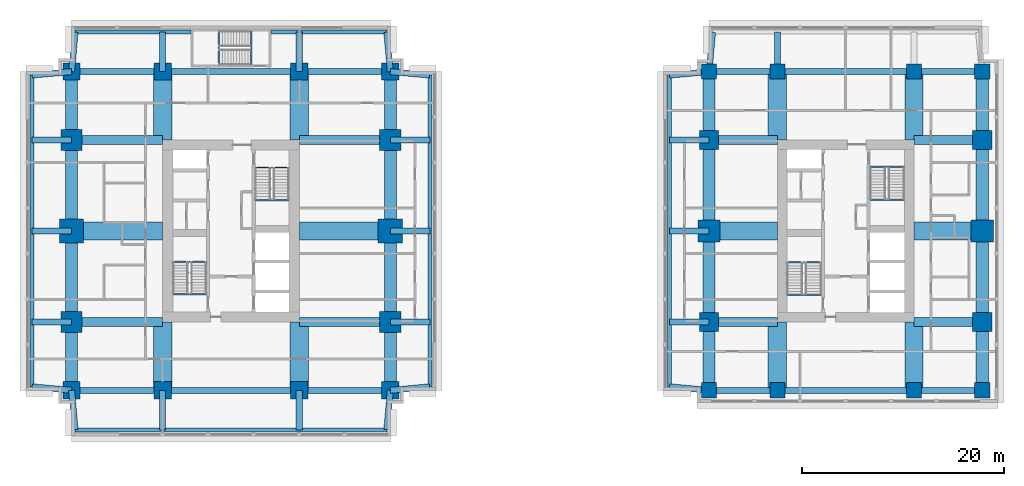
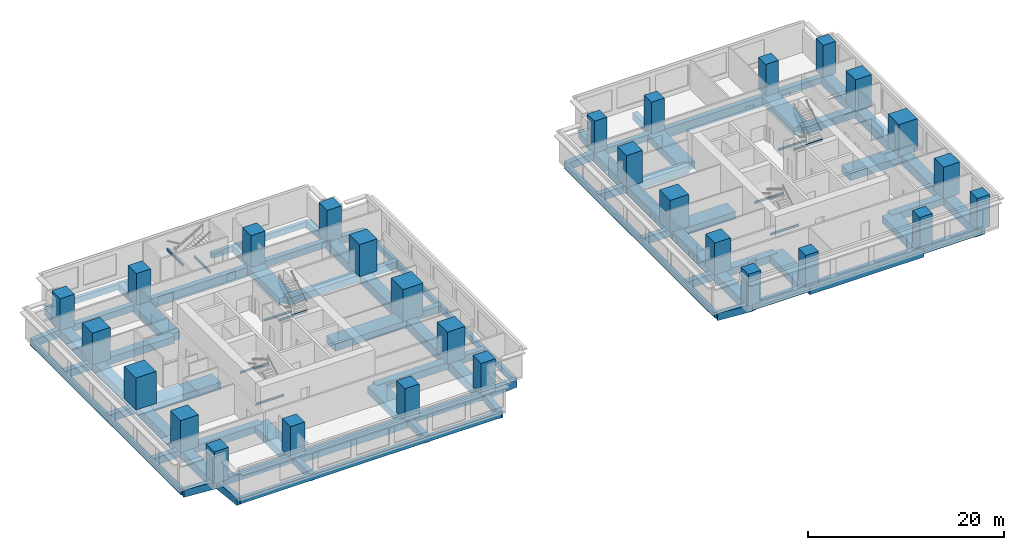
# One storey, part 1 of 10: 89 beams, 28 columns.
"""IFC4 building model written with IfcOpenShell, lengths in metres."""

from ifc_helpers import new_model, si_unit, direction, frame, origin, origin_2d, place, context, subcontext, project, spatial, rectangle, i_section, extrude, material, material_profile, profile_set, type_object, element, save


model = new_model("IFC4")

# Units and contexts
model_context = context("Model", 3, precision=1e-05, world=origin(), true_north=direction((0.0, 1.0)))
body_context = subcontext(model_context, "Body", "Model", "MODEL_VIEW")
ifc_project = project(units=[si_unit("LENGTHUNIT", "METRE"), si_unit("AREAUNIT", "SQUARE_METRE"), si_unit("VOLUMEUNIT", "CUBIC_METRE"), si_unit("PLANEANGLEUNIT", "RADIAN"), si_unit("MASSUNIT", "GRAM", prefix="KILO")], contexts=[model_context])

# Site, building, storey
site_placement = place(None, origin())
site = spatial("IfcSite", under=ifc_project, at=site_placement, CompositionType="ELEMENT")
building_placement = place(site_placement, origin())
building = spatial("IfcBuilding", under=site, at=building_placement, Name="Namib Vertical Campus", CompositionType="ELEMENT")
storey_placement = place(building_placement, frame((0.0, 0.0, 149.0)))
storey = spatial("IfcBuildingStorey", under=building, at=storey_placement, Name="L35", CompositionType="ELEMENT", Elevation=149.0)

# Columns
ifc_material_1 = material(Name="Concrete C60/75", Category="concrete")
ifc_material_profile_1 = material_profile(ifc_material_1, rectangle(XDim=1.5, YDim=1.5, at=origin_2d()))
ifc_profile_set_1 = profile_set([ifc_material_profile_1], Name="Concrete C60/75")
column_type_1 = type_object("IfcColumnType", Name="Column RC 1500x1500", PredefinedType="COLUMN", material=ifc_profile_set_1)
for number, where, z_axis, x_axis, name in (
    (1, (67.5, 4.5, 0.0), (0.0, 0.0, 1.0), (1.0, 0.0, 0.0), "Column C150 L35"),
    (2, (74.25, 4.5, 0.0), (0.0, 0.0, 1.0), (1.0, 0.0, 0.0), "Column C150 L35"),
    (3, (87.75, 4.5, 0.0), (0.0, 0.0, 1.0), (1.0, 0.0, 0.0), "Column C150 L35"),
    (4, (94.5, 4.5, 0.0), (0.0, 0.0, 1.0), (1.0, 0.0, 0.0), "Column C150 L35"),
    (5, (67.5, 36.0, 0.0), (0.0, 0.0, 1.0), (1.0, 0.0, 0.0), "Column C150 L35"),
    (6, (74.25, 36.0, 0.0), (0.0, 0.0, 1.0), (1.0, 0.0, 0.0), "Column C150 L35"),
    (7, (87.75, 36.0, 0.0), (0.0, 0.0, 1.0), (1.0, 0.0, 0.0), "Column C150 L35"),
    (8, (94.5, 36.0, 0.0), (0.0, 0.0, 1.0), (1.0, 0.0, 0.0), "Column C150 L35"),
):
    element("IfcColumn", number, at=place(storey_placement, frame(where, z_axis=z_axis, x_axis=x_axis)), inside=storey, type_object=column_type_1, Name=name, PredefinedType="COLUMN", context=body_context, shape_type="SweptSolid", body=[
        extrude(rectangle(XDim=1.5, YDim=1.5, at=origin_2d()), origin(), (0.0, 0.0, 1.0), 4.0),
    ])
ifc_material_2 = material(Name="Concrete C60/75", Category="concrete")
ifc_material_profile_2 = material_profile(ifc_material_2, rectangle(XDim=1.699951171875, YDim=1.699951171875, at=origin_2d()))
ifc_profile_set_2 = profile_set([ifc_material_profile_2], Name="Concrete C60/75")
column_type_2 = type_object("IfcColumnType", Name="Column RC 1700x1700", PredefinedType="COLUMN", material=ifc_profile_set_2)
for number, where, z_axis, x_axis, name in (
    (9, (4.5, 4.5, 0.0), (0.0, 0.0, 1.0), (1.0, 0.0, 0.0), "Column C170 L35"),
    (10, (13.5, 4.5, 0.0), (0.0, 0.0, 1.0), (1.0, 0.0, 0.0), "Column C170 L35"),
    (11, (27.0, 4.5, 0.0), (0.0, 0.0, 1.0), (1.0, 0.0, 0.0), "Column C170 L35"),
    (12, (36.0, 4.5, 0.0), (0.0, 0.0, 1.0), (1.0, 0.0, 0.0), "Column C170 L35"),
    (13, (4.5, 36.0, 0.0), (0.0, 0.0, 1.0), (1.0, 0.0, 0.0), "Column C170 L35"),
    (14, (13.5, 36.0, 0.0), (0.0, 0.0, 1.0), (1.0, 0.0, 0.0), "Column C170 L35"),
    (15, (27.0, 36.0, 0.0), (0.0, 0.0, 1.0), (1.0, 0.0, 0.0), "Column C170 L35"),
    (16, (36.0, 36.0, 0.0), (0.0, 0.0, 1.0), (1.0, 0.0, 0.0), "Column C170 L35"),
):
    element("IfcColumn", number, at=place(storey_placement, frame(where, z_axis=z_axis, x_axis=x_axis)), inside=storey, type_object=column_type_2, Name=name, PredefinedType="COLUMN", context=body_context, shape_type="SweptSolid", body=[
        extrude(rectangle(XDim=1.699951171875, YDim=1.699951171875, at=origin_2d()), origin(), (0.0, 0.0, 1.0), 4.0),
    ])
ifc_material_3 = material(Name="Concrete C60/75", Category="concrete")
ifc_material_profile_3 = material_profile(ifc_material_3, rectangle(XDim=1.89990234375, YDim=1.89990234375, at=origin_2d()))
ifc_profile_set_3 = profile_set([ifc_material_profile_3], Name="Concrete C60/75")
column_type_3 = type_object("IfcColumnType", Name="Column RC 1900x1900", PredefinedType="COLUMN", material=ifc_profile_set_3)
for number, where, z_axis, x_axis, name in (
    (17, (67.5, 11.25, 0.0), (0.0, 0.0, 1.0), (1.0, 0.0, 0.0), "Column C190 L35"),
    (18, (94.5, 11.25, 0.0), (0.0, 0.0, 1.0), (1.0, 0.0, 0.0), "Column C190 L35"),
    (19, (67.5, 29.25, 0.0), (0.0, 0.0, 1.0), (1.0, 0.0, 0.0), "Column C190 L35"),
    (20, (94.5, 29.25, 0.0), (0.0, 0.0, 1.0), (1.0, 0.0, 0.0), "Column C190 L35"),
):
    element("IfcColumn", number, at=place(storey_placement, frame(where, z_axis=z_axis, x_axis=x_axis)), inside=storey, type_object=column_type_3, Name=name, PredefinedType="COLUMN", context=body_context, shape_type="SweptSolid", body=[
        extrude(rectangle(XDim=1.89990234375, YDim=1.89990234375, at=origin_2d()), origin(), (0.0, 0.0, 1.0), 4.0),
    ])
ifc_material_4 = material(Name="Concrete C60/75", Category="concrete")
ifc_material_profile_4 = material_profile(ifc_material_4, rectangle(XDim=2.10009765625, YDim=2.10009765625, at=origin_2d()))
ifc_profile_set_4 = profile_set([ifc_material_profile_4], Name="Concrete C60/75")
column_type_4 = type_object("IfcColumnType", Name="Column RC 2100x2100", PredefinedType="COLUMN", material=ifc_profile_set_4)
for number, where, z_axis, x_axis, name in (
    (21, (4.5, 11.25, 0.0), (0.0, 0.0, 1.0), (1.0, 0.0, 0.0), "Column C210 L35"),
    (22, (36.0, 11.25, 0.0), (0.0, 0.0, 1.0), (1.0, 0.0, 0.0), "Column C210 L35"),
    (23, (4.5, 29.25, 0.0), (0.0, 0.0, 1.0), (1.0, 0.0, 0.0), "Column C210 L35"),
    (24, (36.0, 29.25, 0.0), (0.0, 0.0, 1.0), (1.0, 0.0, 0.0), "Column C210 L35"),
):
    element("IfcColumn", number, at=place(storey_placement, frame(where, z_axis=z_axis, x_axis=x_axis)), inside=storey, type_object=column_type_4, Name=name, PredefinedType="COLUMN", context=body_context, shape_type="SweptSolid", body=[
        extrude(rectangle(XDim=2.10009765625, YDim=2.10009765625, at=origin_2d()), origin(), (0.0, 0.0, 1.0), 4.0),
    ])
ifc_material_5 = material(Name="Concrete C60/75", Category="concrete")
ifc_material_profile_5 = material_profile(ifc_material_5, rectangle(XDim=2.199951171875, YDim=2.199951171875, at=origin_2d()))
ifc_profile_set_5 = profile_set([ifc_material_profile_5], Name="Concrete C60/75")
column_type_5 = type_object("IfcColumnType", Name="Column RC 2200x2200", PredefinedType="COLUMN", material=ifc_profile_set_5)
for number, where, z_axis, x_axis, name in (
    (25, (67.5, 20.25, 0.0), (0.0, 0.0, 1.0), (1.0, 0.0, 0.0), "Column C220 L35"),
    (26, (94.5, 20.25, 0.0), (0.0, 0.0, 1.0), (1.0, 0.0, 0.0), "Column C220 L35"),
):
    element("IfcColumn", number, at=place(storey_placement, frame(where, z_axis=z_axis, x_axis=x_axis)), inside=storey, type_object=column_type_5, Name=name, PredefinedType="COLUMN", context=body_context, shape_type="SweptSolid", body=[
        extrude(rectangle(XDim=2.199951171875, YDim=2.199951171875, at=origin_2d()), origin(), (0.0, 0.0, 1.0), 4.0),
    ])
ifc_material_6 = material(Name="Concrete C60/75", Category="concrete")
ifc_material_profile_6 = material_profile(ifc_material_6, rectangle(XDim=2.39990234375, YDim=2.39990234375, at=origin_2d()))
ifc_profile_set_6 = profile_set([ifc_material_profile_6], Name="Concrete C60/75")
column_type_6 = type_object("IfcColumnType", Name="Column RC 2400x2400", PredefinedType="COLUMN", material=ifc_profile_set_6)
for number, where, z_axis, x_axis, name in (
    (27, (4.5, 20.25, 0.0), (0.0, 0.0, 1.0), (1.0, 0.0, 0.0), "Column C240 L35"),
    (28, (36.0, 20.25, 0.0), (0.0, 0.0, 1.0), (1.0, 0.0, 0.0), "Column C240 L35"),
):
    element("IfcColumn", number, at=place(storey_placement, frame(where, z_axis=z_axis, x_axis=x_axis)), inside=storey, type_object=column_type_6, Name=name, PredefinedType="COLUMN", context=body_context, shape_type="SweptSolid", body=[
        extrude(rectangle(XDim=2.39990234375, YDim=2.39990234375, at=origin_2d()), origin(), (0.0, 0.0, 1.0), 4.0),
    ])

# Beams
ifc_material_7 = material(Name="Concrete C40/50", Category="concrete")
ifc_material_profile_7 = material_profile(ifc_material_7, rectangle(XDim=0.60009765625, YDim=0.89990234375, at=origin_2d()))
ifc_profile_set_7 = profile_set([ifc_material_profile_7], Name="Concrete C40/50")
beam_type_1 = type_object("IfcBeamType", Name="Cantilever girder RC 600x900", PredefinedType="BEAM", material=ifc_profile_set_7)
beam_1_placement = place(storey_placement, frame((4.5, 4.5, -0.699951171875), z_axis=(0.089411326146, -0.995994786511, 0.0), x_axis=(0.995994786511, 0.089411326146, 0.0)))
element("IfcBeam", 29, at=beam_1_placement, inside=storey, type_object=beam_type_1, Name="Beam B3 L35", PredefinedType="BEAM", context=body_context, shape_type="SweptSolid", body=[
    extrude(rectangle(XDim=0.60009765625, YDim=0.89990234375, at=origin_2d()), origin(), (0.0, 0.0, 1.0), 3.91552734375),
])
for number, where, z_axis, x_axis, name in (
    (30, (13.5, 4.5, -0.699951171875), (0.0, -1.0, 0.0), (1.0, 0.0, 0.0), "Beam B3 L35"),
    (31, (27.0, 4.5, -0.699951171875), (0.0, -1.0, 0.0), (1.0, 0.0, 0.0), "Beam B3 L35"),
):
    element("IfcBeam", number, at=place(storey_placement, frame(where, z_axis=z_axis, x_axis=x_axis)), inside=storey, type_object=beam_type_1, Name=name, PredefinedType="BEAM", context=body_context, shape_type="SweptSolid", body=[
        extrude(rectangle(XDim=0.60009765625, YDim=0.89990234375, at=origin_2d()), origin(), (0.0, 0.0, 1.0), 3.89990234375),
    ])
for number, where, z_axis, x_axis, name in (
    (32, (36.0, 4.5, -0.699951171875), (-0.089411326146, -0.995994786511, 0.0), (0.995994786511, -0.089411326146, 0.0), "Beam B3 L35"),
    (33, (4.5, 36.0, -0.699951171875), (0.089411326146, 0.995994786511, 0.0), (-0.995994786511, 0.089411326146, 0.0), "Beam B3 L35"),
):
    element("IfcBeam", number, at=place(storey_placement, frame(where, z_axis=z_axis, x_axis=x_axis)), inside=storey, type_object=beam_type_1, Name=name, PredefinedType="BEAM", context=body_context, shape_type="SweptSolid", body=[
        extrude(rectangle(XDim=0.60009765625, YDim=0.89990234375, at=origin_2d()), origin(), (0.0, 0.0, 1.0), 3.91552734375),
    ])
for number, where, z_axis, x_axis, name in (
    (34, (13.5, 36.0, -0.699951171875), (0.0, 1.0, 0.0), (-1.0, 0.0, 0.0), "Beam B3 L35"),
    (35, (27.0, 36.0, -0.699951171875), (0.0, 1.0, 0.0), (-1.0, 0.0, 0.0), "Beam B3 L35"),
):
    element("IfcBeam", number, at=place(storey_placement, frame(where, z_axis=z_axis, x_axis=x_axis)), inside=storey, type_object=beam_type_1, Name=name, PredefinedType="BEAM", context=body_context, shape_type="SweptSolid", body=[
        extrude(rectangle(XDim=0.60009765625, YDim=0.89990234375, at=origin_2d()), origin(), (0.0, 0.0, 1.0), 3.89990234375),
    ])
for number, where, z_axis, x_axis, name in (
    (36, (36.0, 36.0, -0.699951171875), (-0.089411326146, 0.995994786511, 0.0), (-0.995994786511, -0.089411326146, 0.0), "Beam B3 L35"),
    (37, (4.5, 4.5, -0.699951171875), (-0.995994786511, 0.089411326146, 0.0), (-0.089411326146, -0.995994786511, 0.0), "Beam B3 L35"),
):
    element("IfcBeam", number, at=place(storey_placement, frame(where, z_axis=z_axis, x_axis=x_axis)), inside=storey, type_object=beam_type_1, Name=name, PredefinedType="BEAM", context=body_context, shape_type="SweptSolid", body=[
        extrude(rectangle(XDim=0.60009765625, YDim=0.89990234375, at=origin_2d()), origin(), (0.0, 0.0, 1.0), 3.91552734375),
    ])
for number, where, z_axis, x_axis, name in (
    (38, (4.5, 11.25, -0.699951171875), (-1.0, 0.0, 0.0), (0.0, -1.0, 0.0), "Beam B3 L35"),
    (39, (4.5, 20.25, -0.699951171875), (-1.0, 0.0, 0.0), (0.0, -1.0, 0.0), "Beam B3 L35"),
    (40, (4.5, 29.25, -0.699951171875), (-1.0, 0.0, 0.0), (0.0, -1.0, 0.0), "Beam B3 L35"),
):
    element("IfcBeam", number, at=place(storey_placement, frame(where, z_axis=z_axis, x_axis=x_axis)), inside=storey, type_object=beam_type_1, Name=name, PredefinedType="BEAM", context=body_context, shape_type="SweptSolid", body=[
        extrude(rectangle(XDim=0.60009765625, YDim=0.89990234375, at=origin_2d()), origin(), (0.0, 0.0, 1.0), 3.89990234375),
    ])
for number, where, z_axis, x_axis, name in (
    (41, (4.5, 36.0, -0.699951171875), (-0.995994786511, -0.089411326146, 0.0), (0.089411326146, -0.995994786511, 0.0), "Beam B3 L35"),
    (42, (36.0, 4.5, -0.699951171875), (0.995994786511, 0.089411326146, 0.0), (-0.089411326146, 0.995994786511, 0.0), "Beam B3 L35"),
):
    element("IfcBeam", number, at=place(storey_placement, frame(where, z_axis=z_axis, x_axis=x_axis)), inside=storey, type_object=beam_type_1, Name=name, PredefinedType="BEAM", context=body_context, shape_type="SweptSolid", body=[
        extrude(rectangle(XDim=0.60009765625, YDim=0.89990234375, at=origin_2d()), origin(), (0.0, 0.0, 1.0), 3.91552734375),
    ])
for number, where, z_axis, x_axis, name in (
    (43, (36.0, 11.25, -0.699951171875), (1.0, 0.0, 0.0), (0.0, 1.0, 0.0), "Beam B3 L35"),
    (44, (36.0, 20.25, -0.699951171875), (1.0, 0.0, 0.0), (0.0, 1.0, 0.0), "Beam B3 L35"),
    (45, (36.0, 29.25, -0.699951171875), (1.0, 0.0, 0.0), (0.0, 1.0, 0.0), "Beam B3 L35"),
):
    element("IfcBeam", number, at=place(storey_placement, frame(where, z_axis=z_axis, x_axis=x_axis)), inside=storey, type_object=beam_type_1, Name=name, PredefinedType="BEAM", context=body_context, shape_type="SweptSolid", body=[
        extrude(rectangle(XDim=0.60009765625, YDim=0.89990234375, at=origin_2d()), origin(), (0.0, 0.0, 1.0), 3.89990234375),
    ])
for number, where, z_axis, x_axis, name in (
    (46, (36.0, 36.0, -0.699951171875), (0.995994786511, -0.089411326146, 0.0), (0.089411326146, 0.995994786511, 0.0), "Beam B3 L35"),
    (47, (67.5, 36.0, -0.699951171875), (0.089411326146, 0.995994786511, 0.0), (-0.995994786511, 0.089411326146, 0.0), "Beam B3 L35"),
):
    element("IfcBeam", number, at=place(storey_placement, frame(where, z_axis=z_axis, x_axis=x_axis)), inside=storey, type_object=beam_type_1, Name=name, PredefinedType="BEAM", context=body_context, shape_type="SweptSolid", body=[
        extrude(rectangle(XDim=0.60009765625, YDim=0.89990234375, at=origin_2d()), origin(), (0.0, 0.0, 1.0), 3.91552734375),
    ])
beam_2_placement = place(storey_placement, frame((74.25, 36.0, -0.699951171875), z_axis=(0.0, 1.0, 0.0), x_axis=(-1.0, 0.0, 0.0)))
element("IfcBeam", 48, at=beam_2_placement, inside=storey, type_object=beam_type_1, Name="Beam B3 L35", PredefinedType="BEAM", context=body_context, shape_type="SweptSolid", body=[
    extrude(rectangle(XDim=0.60009765625, YDim=0.89990234375, at=origin_2d()), origin(), (0.0, 0.0, 1.0), 3.89990234375),
])
beam_3_placement = place(storey_placement, frame((67.5, 4.5, -0.699951171875), z_axis=(-0.995994786511, 0.089411326146, 0.0), x_axis=(-0.089411326146, -0.995994786511, 0.0)))
element("IfcBeam", 49, at=beam_3_placement, inside=storey, type_object=beam_type_1, Name="Beam B3 L35", PredefinedType="BEAM", context=body_context, shape_type="SweptSolid", body=[
    extrude(rectangle(XDim=0.60009765625, YDim=0.89990234375, at=origin_2d()), origin(), (0.0, 0.0, 1.0), 3.91552734375),
])
for number, where, z_axis, x_axis, name in (
    (50, (67.5, 11.25, -0.699951171875), (-1.0, 0.0, 0.0), (0.0, -1.0, 0.0), "Beam B3 L35"),
    (51, (67.5, 20.25, -0.699951171875), (-1.0, 0.0, 0.0), (0.0, -1.0, 0.0), "Beam B3 L35"),
    (52, (67.5, 29.25, -0.699951171875), (-1.0, 0.0, 0.0), (0.0, -1.0, 0.0), "Beam B3 L35"),
):
    element("IfcBeam", number, at=place(storey_placement, frame(where, z_axis=z_axis, x_axis=x_axis)), inside=storey, type_object=beam_type_1, Name=name, PredefinedType="BEAM", context=body_context, shape_type="SweptSolid", body=[
        extrude(rectangle(XDim=0.60009765625, YDim=0.89990234375, at=origin_2d()), origin(), (0.0, 0.0, 1.0), 3.89990234375),
    ])
beam_4_placement = place(storey_placement, frame((67.5, 36.0, -0.699951171875), z_axis=(-0.995994786511, -0.089411326146, 0.0), x_axis=(0.089411326146, -0.995994786511, 0.0)))
element("IfcBeam", 53, at=beam_4_placement, inside=storey, type_object=beam_type_1, Name="Beam B3 L35", PredefinedType="BEAM", context=body_context, shape_type="SweptSolid", body=[
    extrude(rectangle(XDim=0.60009765625, YDim=0.89990234375, at=origin_2d()), origin(), (0.0, 0.0, 1.0), 3.91552734375),
])
ifc_material_8 = material(Name="Concrete C40/50", Category="concrete")
ifc_material_profile_8 = material_profile(ifc_material_8, rectangle(XDim=0.39990234375, YDim=0.699951171875, at=origin_2d()))
ifc_profile_set_8 = profile_set([ifc_material_profile_8], Name="Concrete C40/50")
beam_type_2 = type_object("IfcBeamType", Name="Edge beam RC 400x700", PredefinedType="SPANDREL", material=ifc_profile_set_8)
beam_5_placement = place(storey_placement, frame((4.85009765625, 0.60009765625, -0.60009765625), z_axis=(1.0, 0.0, 0.0), x_axis=(0.0, 1.0, 0.0)))
element("IfcBeam", 54, at=beam_5_placement, inside=storey, type_object=beam_type_2, Name="Beam B4 L35", PredefinedType="SPANDREL", context=body_context, shape_type="SweptSolid", body=[
    extrude(rectangle(XDim=0.39990234375, YDim=0.699951171875, at=origin_2d()), origin(), (0.0, 0.0, 1.0), 30.7998046875),
])
for number, where, z_axis, x_axis, name in (
    (55, (4.85009765625, 39.89990234375, -0.60009765625), (1.0, 0.0, 0.0), (0.0, 1.0, 0.0), "Beam B4 L35"),
    (56, (24.199951171875, 39.89990234375, -0.60009765625), (1.0, 0.0, 0.0), (0.0, 1.0, 0.0), "Beam B4 L35"),
):
    element("IfcBeam", number, at=place(storey_placement, frame(where, z_axis=z_axis, x_axis=x_axis)), inside=storey, type_object=beam_type_2, Name=name, PredefinedType="SPANDREL", context=body_context, shape_type="SweptSolid", body=[
        extrude(rectangle(XDim=0.39990234375, YDim=0.699951171875, at=origin_2d()), origin(), (0.0, 0.0, 1.0), 11.449951171875),
    ])
for number, where, z_axis, x_axis, name in (
    (57, (0.60009765625, 4.85009765625, -0.60009765625), (0.0, 1.0, 0.0), (-1.0, 0.0, 0.0), "Beam B4 L35"),
    (58, (39.89990234375, 4.85009765625, -0.60009765625), (0.0, 1.0, 0.0), (-1.0, 0.0, 0.0), "Beam B4 L35"),
    (59, (63.60009765625, 4.85009765625, -0.60009765625), (0.0, 1.0, 0.0), (-1.0, 0.0, 0.0), "Beam B4 L35"),
):
    element("IfcBeam", number, at=place(storey_placement, frame(where, z_axis=z_axis, x_axis=x_axis)), inside=storey, type_object=beam_type_2, Name=name, PredefinedType="SPANDREL", context=body_context, shape_type="SweptSolid", body=[
        extrude(rectangle(XDim=0.39990234375, YDim=0.699951171875, at=origin_2d()), origin(), (0.0, 0.0, 1.0), 30.7998046875),
    ])
ifc_material_9 = material(Name="Concrete C40/50", Category="concrete")
ifc_material_profile_9 = material_profile(ifc_material_9, rectangle(XDim=0.89990234375, YDim=0.89990234375, at=origin_2d()))
ifc_profile_set_9 = profile_set([ifc_material_profile_9], Name="Concrete C40/50")
beam_type_3 = type_object("IfcBeamType", Name="Face girder RC 900x900", PredefinedType="BEAM", material=ifc_profile_set_9)
for number, where, z_axis, x_axis, name in (
    (60, (4.5, 11.25, -0.699951171875), (1.0, 0.0, 0.0), (0.0, 1.0, 0.0), "Beam B10 L35"),
    (61, (36.0, 11.25, -0.699951171875), (-1.0, 0.0, 0.0), (0.0, -1.0, 0.0), "Beam B10 L35"),
    (62, (4.5, 29.25, -0.699951171875), (1.0, 0.0, 0.0), (0.0, 1.0, 0.0), "Beam B10 L35"),
    (63, (36.0, 29.25, -0.699951171875), (-1.0, 0.0, 0.0), (0.0, -1.0, 0.0), "Beam B10 L35"),
):
    element("IfcBeam", number, at=place(storey_placement, frame(where, z_axis=z_axis, x_axis=x_axis)), inside=storey, type_object=beam_type_3, Name=name, PredefinedType="BEAM", context=body_context, shape_type="SweptSolid", body=[
        extrude(rectangle(XDim=0.89990234375, YDim=0.89990234375, at=origin_2d()), origin(), (0.0, 0.0, 1.0), 9.0),
    ])
for number, where, z_axis, x_axis, name in (
    (64, (67.5, 11.25, -0.699951171875), (1.0, 0.0, 0.0), (0.0, 1.0, 0.0), "Beam B10 L35"),
    (65, (94.5, 11.25, -0.699951171875), (-1.0, 0.0, 0.0), (0.0, -1.0, 0.0), "Beam B10 L35"),
    (66, (67.5, 29.25, -0.699951171875), (1.0, 0.0, 0.0), (0.0, 1.0, 0.0), "Beam B10 L35"),
    (67, (94.5, 29.25, -0.699951171875), (-1.0, 0.0, 0.0), (0.0, -1.0, 0.0), "Beam B10 L35"),
):
    element("IfcBeam", number, at=place(storey_placement, frame(where, z_axis=z_axis, x_axis=x_axis)), inside=storey, type_object=beam_type_3, Name=name, PredefinedType="BEAM", context=body_context, shape_type="SweptSolid", body=[
        extrude(rectangle(XDim=0.89990234375, YDim=0.89990234375, at=origin_2d()), origin(), (0.0, 0.0, 1.0), 6.75),
    ])
ifc_material_10 = material(Name="Concrete C40/50", Category="concrete")
ifc_material_profile_10 = material_profile(ifc_material_10, rectangle(XDim=1.199951171875, YDim=1.10009765625, at=origin_2d()))
ifc_profile_set_10 = profile_set([ifc_material_profile_10], Name="Concrete C40/50")
beam_type_4 = type_object("IfcBeamType", Name="Face ring beam RC 1200x1100", PredefinedType="BEAM", material=ifc_profile_set_10)
beam_6_placement = place(storey_placement, frame((4.5, 4.5, -0.800048828125), z_axis=(0.0, 1.0, 0.0), x_axis=(-1.0, 0.0, 0.0)))
element("IfcBeam", 68, at=beam_6_placement, inside=storey, type_object=beam_type_4, Name="Beam B11 L35", PredefinedType="BEAM", context=body_context, shape_type="SweptSolid", body=[
    extrude(rectangle(XDim=1.199951171875, YDim=1.10009765625, at=origin_2d()), origin(), (0.0, 0.0, 1.0), 6.75),
])
for number, where, z_axis, x_axis, name in (
    (69, (4.5, 11.25, -0.800048828125), (0.0, 1.0, 0.0), (-1.0, 0.0, 0.0), "Beam B11 L35"),
    (70, (4.5, 20.25, -0.800048828125), (0.0, 1.0, 0.0), (-1.0, 0.0, 0.0), "Beam B11 L35"),
):
    element("IfcBeam", number, at=place(storey_placement, frame(where, z_axis=z_axis, x_axis=x_axis)), inside=storey, type_object=beam_type_4, Name=name, PredefinedType="BEAM", context=body_context, shape_type="SweptSolid", body=[
        extrude(rectangle(XDim=1.199951171875, YDim=1.10009765625, at=origin_2d()), origin(), (0.0, 0.0, 1.0), 9.0),
    ])
for number, where, z_axis, x_axis, name in (
    (71, (4.5, 29.25, -0.800048828125), (0.0, 1.0, 0.0), (-1.0, 0.0, 0.0), "Beam B11 L35"),
    (72, (36.0, 4.5, -0.800048828125), (0.0, 1.0, 0.0), (-1.0, 0.0, 0.0), "Beam B11 L35"),
):
    element("IfcBeam", number, at=place(storey_placement, frame(where, z_axis=z_axis, x_axis=x_axis)), inside=storey, type_object=beam_type_4, Name=name, PredefinedType="BEAM", context=body_context, shape_type="SweptSolid", body=[
        extrude(rectangle(XDim=1.199951171875, YDim=1.10009765625, at=origin_2d()), origin(), (0.0, 0.0, 1.0), 6.75),
    ])
for number, where, z_axis, x_axis, name in (
    (73, (36.0, 11.25, -0.800048828125), (0.0, 1.0, 0.0), (-1.0, 0.0, 0.0), "Beam B11 L35"),
    (74, (36.0, 20.25, -0.800048828125), (0.0, 1.0, 0.0), (-1.0, 0.0, 0.0), "Beam B11 L35"),
):
    element("IfcBeam", number, at=place(storey_placement, frame(where, z_axis=z_axis, x_axis=x_axis)), inside=storey, type_object=beam_type_4, Name=name, PredefinedType="BEAM", context=body_context, shape_type="SweptSolid", body=[
        extrude(rectangle(XDim=1.199951171875, YDim=1.10009765625, at=origin_2d()), origin(), (0.0, 0.0, 1.0), 9.0),
    ])
for number, where, z_axis, x_axis, name in (
    (75, (36.0, 29.25, -0.800048828125), (0.0, 1.0, 0.0), (-1.0, 0.0, 0.0), "Beam B11 L35"),
    (76, (67.5, 4.5, -0.800048828125), (0.0, 1.0, 0.0), (-1.0, 0.0, 0.0), "Beam B11 L35"),
):
    element("IfcBeam", number, at=place(storey_placement, frame(where, z_axis=z_axis, x_axis=x_axis)), inside=storey, type_object=beam_type_4, Name=name, PredefinedType="BEAM", context=body_context, shape_type="SweptSolid", body=[
        extrude(rectangle(XDim=1.199951171875, YDim=1.10009765625, at=origin_2d()), origin(), (0.0, 0.0, 1.0), 6.75),
    ])
for number, where, z_axis, x_axis, name in (
    (77, (67.5, 11.25, -0.800048828125), (0.0, 1.0, 0.0), (-1.0, 0.0, 0.0), "Beam B11 L35"),
    (78, (67.5, 20.25, -0.800048828125), (0.0, 1.0, 0.0), (-1.0, 0.0, 0.0), "Beam B11 L35"),
):
    element("IfcBeam", number, at=place(storey_placement, frame(where, z_axis=z_axis, x_axis=x_axis)), inside=storey, type_object=beam_type_4, Name=name, PredefinedType="BEAM", context=body_context, shape_type="SweptSolid", body=[
        extrude(rectangle(XDim=1.199951171875, YDim=1.10009765625, at=origin_2d()), origin(), (0.0, 0.0, 1.0), 9.0),
    ])
for number, where, z_axis, x_axis, name in (
    (79, (67.5, 29.25, -0.800048828125), (0.0, 1.0, 0.0), (-1.0, 0.0, 0.0), "Beam B11 L35"),
    (80, (94.5, 4.5, -0.800048828125), (0.0, 1.0, 0.0), (-1.0, 0.0, 0.0), "Beam B11 L35"),
):
    element("IfcBeam", number, at=place(storey_placement, frame(where, z_axis=z_axis, x_axis=x_axis)), inside=storey, type_object=beam_type_4, Name=name, PredefinedType="BEAM", context=body_context, shape_type="SweptSolid", body=[
        extrude(rectangle(XDim=1.199951171875, YDim=1.10009765625, at=origin_2d()), origin(), (0.0, 0.0, 1.0), 6.75),
    ])
for number, where, z_axis, x_axis, name in (
    (81, (94.5, 11.25, -0.800048828125), (0.0, 1.0, 0.0), (-1.0, 0.0, 0.0), "Beam B11 L35"),
    (82, (94.5, 20.25, -0.800048828125), (0.0, 1.0, 0.0), (-1.0, 0.0, 0.0), "Beam B11 L35"),
):
    element("IfcBeam", number, at=place(storey_placement, frame(where, z_axis=z_axis, x_axis=x_axis)), inside=storey, type_object=beam_type_4, Name=name, PredefinedType="BEAM", context=body_context, shape_type="SweptSolid", body=[
        extrude(rectangle(XDim=1.199951171875, YDim=1.10009765625, at=origin_2d()), origin(), (0.0, 0.0, 1.0), 9.0),
    ])
beam_7_placement = place(storey_placement, frame((94.5, 29.25, -0.800048828125), z_axis=(0.0, 1.0, 0.0), x_axis=(-1.0, 0.0, 0.0)))
element("IfcBeam", 83, at=beam_7_placement, inside=storey, type_object=beam_type_4, Name="Beam B11 L35", PredefinedType="BEAM", context=body_context, shape_type="SweptSolid", body=[
    extrude(rectangle(XDim=1.199951171875, YDim=1.10009765625, at=origin_2d()), origin(), (0.0, 0.0, 1.0), 6.75),
])
ifc_material_11 = material(Name="Steel S355JR", Category="steel")
ifc_material_profile_11 = material_profile(ifc_material_11, i_section(OverallWidth=0.14599609375, OverallDepth=0.25146484375, WebThickness=0.006103515625, FlangeThickness=0.008544921875, FilletRadius=0.007568359375, at=origin_2d()))
ifc_profile_set_11 = profile_set([ifc_material_profile_11], Name="Steel S355JR")
beam_type_5 = type_object("IfcBeamType", Name="Landing trimmer UB 254x146x31", PredefinedType="BEAM", material=ifc_profile_set_11)
for number, where, z_axis, x_axis, name in (
    (84, (14.5, 13.97705078125, -0.125732421875), (1.0, 0.0, 0.0), (0.0, 1.0, 0.0), "Landing trimmer LT1 A-S1 L35 1"),
    (85, (14.5, 17.203125, 1.874267578125), (1.0, 0.0, 0.0), (0.0, 1.0, 0.0), "Landing trimmer LT1 A-S1 L35 2"),
    (86, (22.64990234375, 26.52294921875, -0.125732421875), (1.0, 0.0, 0.0), (0.0, 1.0, 0.0), "Landing trimmer LT1 A-S2 L35 1"),
    (87, (22.64990234375, 23.296875, 1.874267578125), (1.0, 0.0, 0.0), (0.0, 1.0, 0.0), "Landing trimmer LT1 A-S2 L35 2"),
):
    element("IfcBeam", number, at=place(storey_placement, frame(where, z_axis=z_axis, x_axis=x_axis)), inside=storey, type_object=beam_type_5, Name=name, PredefinedType="BEAM", context=body_context, shape_type="SweptSolid", body=[
        extrude(i_section(OverallWidth=0.14599609375, OverallDepth=0.25146484375, WebThickness=0.006103515625, FlangeThickness=0.008544921875, FilletRadius=0.007568359375, at=origin_2d()), origin(), (0.0, 0.0, 1.0), 3.35009765625),
    ])
for number, where, z_axis, x_axis, name in (
    (88, (75.199951171875, 13.927001953125, -0.125732421875), (1.0, 0.0, 0.0), (0.0, 1.0, 0.0), "Landing trimmer LT1 B-S1 L35 1"),
    (89, (75.199951171875, 17.153076171875, 1.874267578125), (1.0, 0.0, 0.0), (0.0, 1.0, 0.0), "Landing trimmer LT1 B-S1 L35 2"),
    (90, (83.39990234375, 26.572998046875, -0.125732421875), (1.0, 0.0, 0.0), (0.0, 1.0, 0.0), "Landing trimmer LT1 B-S2 L35 1"),
    (91, (83.39990234375, 23.346923828125, 1.874267578125), (1.0, 0.0, 0.0), (0.0, 1.0, 0.0), "Landing trimmer LT1 B-S2 L35 2"),
):
    element("IfcBeam", number, at=place(storey_placement, frame(where, z_axis=z_axis, x_axis=x_axis)), inside=storey, type_object=beam_type_5, Name=name, PredefinedType="BEAM", context=body_context, shape_type="SweptSolid", body=[
        extrude(i_section(OverallWidth=0.14599609375, OverallDepth=0.25146484375, WebThickness=0.006103515625, FlangeThickness=0.008544921875, FilletRadius=0.007568359375, at=origin_2d()), origin(), (0.0, 0.0, 1.0), 3.400146484375),
    ])
for number, where, z_axis, x_axis, name in (
    (92, (22.27294921875, 36.64990234375, -0.125732421875), (0.0, 1.0, 0.0), (-1.0, 0.0, 0.0), "Landing trimmer LT1 A-S3 L35 1"),
    (93, (19.046875, 36.64990234375, 1.874267578125), (0.0, 1.0, 0.0), (-1.0, 0.0, 0.0), "Landing trimmer LT1 A-S3 L35 2"),
):
    element("IfcBeam", number, at=place(storey_placement, frame(where, z_axis=z_axis, x_axis=x_axis)), inside=storey, type_object=beam_type_5, Name=name, PredefinedType="BEAM", context=body_context, shape_type="SweptSolid", body=[
        extrude(i_section(OverallWidth=0.14599609375, OverallDepth=0.25146484375, WebThickness=0.006103515625, FlangeThickness=0.008544921875, FilletRadius=0.007568359375, at=origin_2d()), origin(), (0.0, 0.0, 1.0), 3.35009765625),
    ])
ifc_material_12 = material(Name="Concrete C40/50", Category="concrete")
ifc_material_profile_12 = material_profile(ifc_material_12, rectangle(XDim=0.60009765625, YDim=1.199951171875, at=origin_2d()))
ifc_profile_set_12 = profile_set([ifc_material_profile_12], Name="Concrete C40/50")
beam_type_6 = type_object("IfcBeamType", Name="Long-span ring beam RC 600x1200", PredefinedType="BEAM", material=ifc_profile_set_12)
for number, where, z_axis, x_axis, name in (
    (94, (13.5, 4.5, -0.85009765625), (1.0, 0.0, 0.0), (0.0, 1.0, 0.0), "Beam B9 L35"),
    (95, (13.5, 36.0, -0.85009765625), (1.0, 0.0, 0.0), (0.0, 1.0, 0.0), "Beam B9 L35"),
    (96, (74.25, 4.5, -0.85009765625), (1.0, 0.0, 0.0), (0.0, 1.0, 0.0), "Beam B9 L35"),
    (97, (74.25, 36.0, -0.85009765625), (1.0, 0.0, 0.0), (0.0, 1.0, 0.0), "Beam B9 L35"),
):
    element("IfcBeam", number, at=place(storey_placement, frame(where, z_axis=z_axis, x_axis=x_axis)), inside=storey, type_object=beam_type_6, Name=name, PredefinedType="BEAM", context=body_context, shape_type="SweptSolid", body=[
        extrude(rectangle(XDim=0.60009765625, YDim=1.199951171875, at=origin_2d()), origin(), (0.0, 0.0, 1.0), 13.5),
    ])
ifc_material_13 = material(Name="Concrete C40/50", Category="concrete")
ifc_material_profile_13 = material_profile(ifc_material_13, rectangle(XDim=1.800048828125, YDim=0.89990234375, at=origin_2d()))
ifc_profile_set_13 = profile_set([ifc_material_profile_13], Name="Concrete C40/50")
beam_type_7 = type_object("IfcBeamType", Name="Outrigger line girder RC 1800x900", PredefinedType="BEAM", material=ifc_profile_set_13)
for number, where, z_axis, x_axis, name in (
    (98, (13.5, 4.5, -0.699951171875), (0.0, 1.0, 0.0), (-1.0, 0.0, 0.0), "Beam B12 L35"),
    (99, (13.5, 36.0, -0.699951171875), (0.0, -1.0, 0.0), (1.0, 0.0, 0.0), "Beam B12 L35"),
    (100, (27.0, 4.5, -0.699951171875), (0.0, 1.0, 0.0), (-1.0, 0.0, 0.0), "Beam B12 L35"),
    (101, (27.0, 36.0, -0.699951171875), (0.0, -1.0, 0.0), (1.0, 0.0, 0.0), "Beam B12 L35"),
):
    element("IfcBeam", number, at=place(storey_placement, frame(where, z_axis=z_axis, x_axis=x_axis)), inside=storey, type_object=beam_type_7, Name=name, PredefinedType="BEAM", context=body_context, shape_type="SweptSolid", body=[
        extrude(rectangle(XDim=1.800048828125, YDim=0.89990234375, at=origin_2d()), origin(), (0.0, 0.0, 1.0), 6.75),
    ])
for number, where, z_axis, x_axis, name in (
    (102, (4.5, 20.25, -0.699951171875), (1.0, 0.0, 0.0), (0.0, 1.0, 0.0), "Beam B12 L35"),
    (103, (36.0, 20.25, -0.699951171875), (-1.0, 0.0, 0.0), (0.0, -1.0, 0.0), "Beam B12 L35"),
):
    element("IfcBeam", number, at=place(storey_placement, frame(where, z_axis=z_axis, x_axis=x_axis)), inside=storey, type_object=beam_type_7, Name=name, PredefinedType="BEAM", context=body_context, shape_type="SweptSolid", body=[
        extrude(rectangle(XDim=1.800048828125, YDim=0.89990234375, at=origin_2d()), origin(), (0.0, 0.0, 1.0), 9.0),
    ])
for number, where, z_axis, x_axis, name in (
    (104, (74.25, 4.5, -0.699951171875), (0.0, 1.0, 0.0), (-1.0, 0.0, 0.0), "Beam B12 L35"),
    (105, (74.25, 36.0, -0.699951171875), (0.0, -1.0, 0.0), (1.0, 0.0, 0.0), "Beam B12 L35"),
    (106, (87.75, 4.5, -0.699951171875), (0.0, 1.0, 0.0), (-1.0, 0.0, 0.0), "Beam B12 L35"),
    (107, (87.75, 36.0, -0.699951171875), (0.0, -1.0, 0.0), (1.0, 0.0, 0.0), "Beam B12 L35"),
    (108, (67.5, 20.25, -0.699951171875), (1.0, 0.0, 0.0), (0.0, 1.0, 0.0), "Beam B12 L35"),
    (109, (94.5, 20.25, -0.699951171875), (-1.0, 0.0, 0.0), (0.0, -1.0, 0.0), "Beam B12 L35"),
):
    element("IfcBeam", number, at=place(storey_placement, frame(where, z_axis=z_axis, x_axis=x_axis)), inside=storey, type_object=beam_type_7, Name=name, PredefinedType="BEAM", context=body_context, shape_type="SweptSolid", body=[
        extrude(rectangle(XDim=1.800048828125, YDim=0.89990234375, at=origin_2d()), origin(), (0.0, 0.0, 1.0), 6.75),
    ])
ifc_material_14 = material(Name="Concrete C40/50", Category="concrete")
ifc_material_profile_14 = material_profile(ifc_material_14, rectangle(XDim=0.60009765625, YDim=0.800048828125, at=origin_2d()))
ifc_profile_set_14 = profile_set([ifc_material_profile_14], Name="Concrete C40/50")
beam_type_8 = type_object("IfcBeamType", Name="Ring beam RC 600x800", PredefinedType="BEAM", material=ifc_profile_set_14)
for number, where, z_axis, x_axis, name in (
    (110, (4.5, 4.5, -0.64990234375), (1.0, 0.0, 0.0), (0.0, 1.0, 0.0), "Beam B1 L35"),
    (111, (27.0, 4.5, -0.64990234375), (1.0, 0.0, 0.0), (0.0, 1.0, 0.0), "Beam B1 L35"),
    (112, (4.5, 36.0, -0.64990234375), (1.0, 0.0, 0.0), (0.0, 1.0, 0.0), "Beam B1 L35"),
    (113, (27.0, 36.0, -0.64990234375), (1.0, 0.0, 0.0), (0.0, 1.0, 0.0), "Beam B1 L35"),
):
    element("IfcBeam", number, at=place(storey_placement, frame(where, z_axis=z_axis, x_axis=x_axis)), inside=storey, type_object=beam_type_8, Name=name, PredefinedType="BEAM", context=body_context, shape_type="SweptSolid", body=[
        extrude(rectangle(XDim=0.60009765625, YDim=0.800048828125, at=origin_2d()), origin(), (0.0, 0.0, 1.0), 9.0),
    ])
for number, where, z_axis, x_axis, name in (
    (114, (67.5, 4.5, -0.64990234375), (1.0, 0.0, 0.0), (0.0, 1.0, 0.0), "Beam B1 L35"),
    (115, (87.75, 4.5, -0.64990234375), (1.0, 0.0, 0.0), (0.0, 1.0, 0.0), "Beam B1 L35"),
    (116, (67.5, 36.0, -0.64990234375), (1.0, 0.0, 0.0), (0.0, 1.0, 0.0), "Beam B1 L35"),
    (117, (87.75, 36.0, -0.64990234375), (1.0, 0.0, 0.0), (0.0, 1.0, 0.0), "Beam B1 L35"),
):
    element("IfcBeam", number, at=place(storey_placement, frame(where, z_axis=z_axis, x_axis=x_axis)), inside=storey, type_object=beam_type_8, Name=name, PredefinedType="BEAM", context=body_context, shape_type="SweptSolid", body=[
        extrude(rectangle(XDim=0.60009765625, YDim=0.800048828125, at=origin_2d()), origin(), (0.0, 0.0, 1.0), 6.75),
    ])

save(model, "model.ifc")
